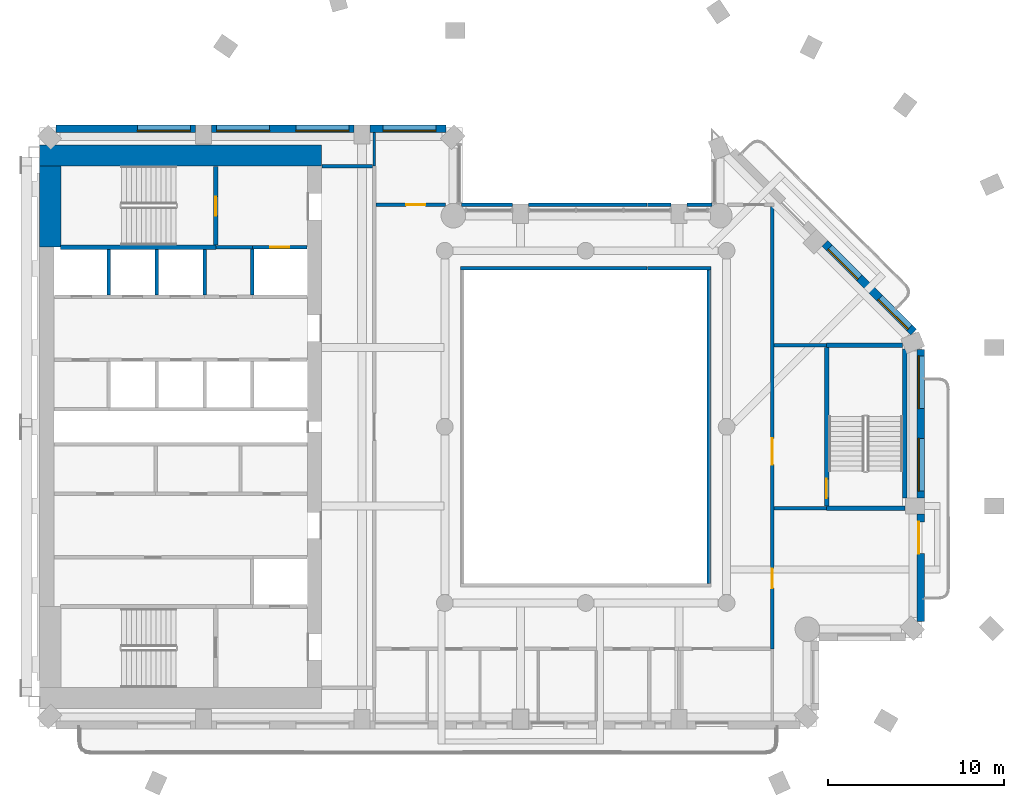
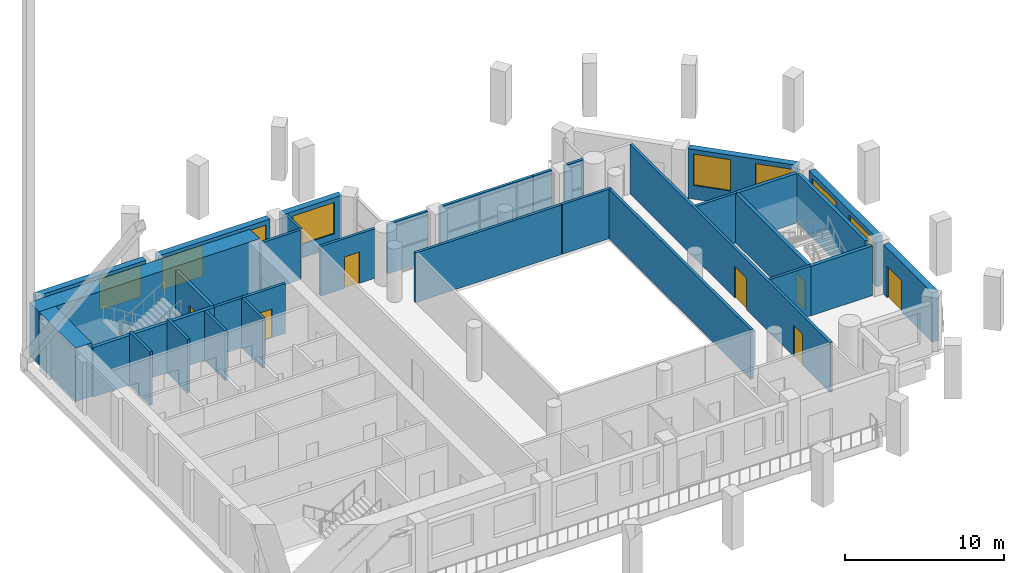
# One storey, part 6 of 16: 33 walls, 8 windows, 7 doors, 15 openings.
"""IFC4 building model written with IfcOpenShell, lengths in metres."""

from ifc_helpers import new_model, si_unit, direction, frame, frame_2d, origin, place, context, subcontext, project, spatial, rectangle, extrude, material, layer, layer_set, type_object, element, fill, save


model = new_model("IFC4")

# Units and contexts
model_context = context("Model", 3, precision=1e-05, world=origin(), true_north=direction((0.0, 1.0)))
body_context = subcontext(model_context, "Body", "Model", "MODEL_VIEW")
ifc_project = project(units=[si_unit("LENGTHUNIT", "METRE"), si_unit("AREAUNIT", "SQUARE_METRE"), si_unit("VOLUMEUNIT", "CUBIC_METRE"), si_unit("PLANEANGLEUNIT", "RADIAN"), si_unit("MASSUNIT", "GRAM", prefix="KILO")], contexts=[model_context])

# Site, building, storey
site_placement = place(None, origin())
site = spatial("IfcSite", under=ifc_project, at=site_placement, CompositionType="ELEMENT")
building_placement = place(site_placement, origin())
building = spatial("IfcBuilding", under=site, at=building_placement, Name="Cypress Arch Tower", CompositionType="ELEMENT")
storey_placement = place(building_placement, frame((0.0, 0.0, 197.39990234375)))
storey = spatial("IfcBuildingStorey", under=building, at=storey_placement, Name="L43", CompositionType="ELEMENT", Elevation=197.39990234375)

# Wall, opening, door
ifc_material_1 = material(Name="Brick (red buff blend)", Category="masonry")
ifc_layer_1 = layer(ifc_material_1, 0.449951171875)
ifc_layer_set_1 = layer_set([ifc_layer_1], Name="Brick pier and spandrel wall BW450")
wall_type_1 = type_object("IfcWallType", Name="Brick pier and spandrel wall BW450", PredefinedType="SOLIDWALL", material=ifc_layer_set_1)
wall_1_placement = place(storey_placement, frame((20.02490234375, -11.063720703125, 0.0), z_axis=(0.0, 0.0, 1.0), x_axis=(0.0, 1.0, 0.0)))
wall_1 = element("IfcWall", 1, at=wall_1_placement, inside=storey, type_object=wall_type_1, Name="Brick wall L43 B04.0", PredefinedType="SOLIDWALL", context=body_context, shape_type="SweptSolid", body=[
    extrude(rectangle(XDim=6.11376953125, YDim=0.449951171875, at=frame_2d((3.056884765625, 0.0))), origin(), (0.0, 0.0, 1.0), 3.800048828125),
])
opening_1_placement = place(wall_1_placement, frame((3.863525390625, 0.0, 0.0)))
opening_1 = element("IfcOpeningElement", 2, at=opening_1_placement, cuts=wall_1, Name="Opening D-L43-B04.0.2", PredefinedType="OPENING", context=body_context, shape_type="SweptSolid", body=[
    extrude(rectangle(XDim=1.800048828125, YDim=2.39990234375, at=frame_2d((0.89990234375, 1.199951171875))), frame((0.0, 0.23486328125, 0.0), z_axis=(0.0, -1.0, 0.0), x_axis=(1.0, 0.0, 0.0)), (0.0, 0.0, 1.0), 0.469970703125),
])
ifc_material_2 = material(Name="Anodised aluminium, bronze finish, laminated low-emissivity double glazing, large-missile impact rated", Category="aluminium")
door_type_1 = type_object("IfcDoorType", Name="Balcony sliding door 1800x2400", OperationType="SLIDING_TO_LEFT", PredefinedType="DOOR", material=ifc_material_2)
door_1_placement = place(opening_1_placement, origin())
door_1 = element("IfcDoor", 3, at=door_1_placement, inside=storey, type_object=door_type_1, Name="Balcony door L43 B04.0.2", OperationType="SLIDING_TO_LEFT", OverallHeight=2.39990234375, OverallWidth=1.800048828125, PredefinedType="DOOR", context=body_context, shape_type="SweptSolid", body=[
    extrude(rectangle(XDim=1.800048828125, YDim=2.39990234375, at=frame_2d((0.89990234375, 1.199951171875))), frame((0.0, 0.1298828125, 0.0), z_axis=(0.0, -1.0, 0.0), x_axis=(1.0, 0.0, 0.0)), (0.0, 0.0, 1.0), 0.050048828125),
])
fill(opening_1, door_1)

# Wall, openings, windows
wall_2_placement = place(storey_placement, frame((20.02490234375, -4.050048828125, 0.0), z_axis=(0.0, 0.0, 1.0), x_axis=(0.0, 1.0, 0.0)))
wall_2 = element("IfcWall", 4, at=wall_2_placement, inside=storey, type_object=wall_type_1, Name="Brick wall L43 B04.1", PredefinedType="SOLIDWALL", context=body_context, shape_type="SweptSolid", body=[
    extrude(rectangle(XDim=8.438720703125, YDim=0.449951171875, at=frame_2d((4.21923828125, 0.0))), origin(), (0.0, 0.0, 1.0), 3.800048828125),
])
opening_2_placement = place(wall_2_placement, frame((0.39404296875, 0.0, 1.050048828125)))
opening_2 = element("IfcOpeningElement", 5, at=opening_2_placement, cuts=wall_2, Name="Opening W300OD", PredefinedType="OPENING", context=body_context, shape_type="SweptSolid", body=[
    extrude(rectangle(XDim=3.0, YDim=2.39990234375, at=frame_2d((1.5, 1.199951171875))), frame((0.0, 0.23486328125, 0.0), z_axis=(0.0, -1.0, 0.0), x_axis=(1.0, 0.0, 0.0)), (0.0, 0.0, 1.0), 0.469970703125),
])
opening_3_placement = place(wall_2_placement, frame((5.081787109375, 0.0, 1.050048828125)))
opening_3 = element("IfcOpeningElement", 6, at=opening_3_placement, cuts=wall_2, Name="Opening W300OD", PredefinedType="OPENING", context=body_context, shape_type="SweptSolid", body=[
    extrude(rectangle(XDim=3.0, YDim=2.39990234375, at=frame_2d((1.5, 1.199951171875))), frame((0.0, 0.23486328125, 0.0), z_axis=(0.0, -1.0, 0.0), x_axis=(1.0, 0.0, 0.0)), (0.0, 0.0, 1.0), 0.469970703125),
])
ifc_material_3 = material(Name="Anodised aluminium, bronze finish, laminated low-emissivity double glazing, large-missile impact rated", Category="aluminium")
window_type_1 = type_object("IfcWindowType", Name="Window Office 3000x2400 debris-rated", PartitioningType="SINGLE_PANEL", PredefinedType="WINDOW", material=ifc_material_3)
window_1_placement = place(opening_2_placement, origin())
window_1 = element("IfcWindow", 7, at=window_1_placement, inside=storey, type_object=window_type_1, Name="Window L43 B04.1.1", OverallHeight=2.39990234375, OverallWidth=3.0, PartitioningType="SINGLE_PANEL", PredefinedType="WINDOW", context=body_context, shape_type="SweptSolid", body=[
    extrude(rectangle(XDim=3.0, YDim=2.39990234375, at=frame_2d((1.5, 1.199951171875))), frame((0.0, 0.135009765625, 0.0), z_axis=(0.0, -1.0, 0.0), x_axis=(1.0, 0.0, 0.0)), (0.0, 0.0, 1.0), 0.06005859375),
])
fill(opening_2, window_1)
window_2_placement = place(opening_3_placement, origin())
window_2 = element("IfcWindow", 8, at=window_2_placement, inside=storey, type_object=window_type_1, Name="Window L43 B04.1.2", OverallHeight=2.39990234375, OverallWidth=3.0, PartitioningType="SINGLE_PANEL", PredefinedType="WINDOW", context=body_context, shape_type="SweptSolid", body=[
    extrude(rectangle(XDim=3.0, YDim=2.39990234375, at=frame_2d((1.5, 1.199951171875))), frame((0.0, 0.135009765625, 0.0), z_axis=(0.0, -1.0, 0.0), x_axis=(1.0, 0.0, 0.0)), (0.0, 0.0, 1.0), 0.06005859375),
])
fill(opening_3, window_2)

wall_3_placement = place(storey_placement, frame((19.61474609375, 5.379150390625, 0.0), z_axis=(0.0, 0.0, 1.0), x_axis=(-0.707089646058, 0.7071239159, 0.0)))
wall_3 = element("IfcWall", 9, at=wall_3_placement, inside=storey, type_object=wall_type_1, Name="Brick wall L43 B05.0", PredefinedType="SOLIDWALL", context=body_context, shape_type="SweptSolid", body=[
    extrude(rectangle(XDim=7.1240234375, YDim=0.449951171875, at=frame_2d((3.56201171875, 0.0))), origin(), (0.0, 0.0, 1.0), 3.800048828125),
])
opening_4_placement = place(wall_3_placement, frame((0.328125, 0.0, 1.050048828125)))
opening_4 = element("IfcOpeningElement", 10, at=opening_4_placement, cuts=wall_3, Name="Opening W240OD", PredefinedType="OPENING", context=body_context, shape_type="SweptSolid", body=[
    extrude(rectangle(XDim=2.39990234375, YDim=2.39990234375, at=frame_2d((1.199951171875, 1.199951171875))), frame((0.0, 0.23486328125, 0.0), z_axis=(0.0, -1.0, 0.0), x_axis=(1.0, 0.0, 0.0)), (0.0, 0.0, 1.0), 0.469970703125),
])
opening_5_placement = place(wall_3_placement, frame((4.358642578125, 0.0, 1.050048828125)))
opening_5 = element("IfcOpeningElement", 11, at=opening_5_placement, cuts=wall_3, Name="Opening W240OD", PredefinedType="OPENING", context=body_context, shape_type="SweptSolid", body=[
    extrude(rectangle(XDim=2.39990234375, YDim=2.39990234375, at=frame_2d((1.199951171875, 1.199951171875))), frame((0.0, 0.23486328125, 0.0), z_axis=(0.0, -1.0, 0.0), x_axis=(1.0, 0.0, 0.0)), (0.0, 0.0, 1.0), 0.469970703125),
])
ifc_material_4 = material(Name="Anodised aluminium, bronze finish, laminated low-emissivity double glazing, large-missile impact rated", Category="aluminium")
window_type_2 = type_object("IfcWindowType", Name="Window Office 2400x2400 debris-rated", PartitioningType="SINGLE_PANEL", PredefinedType="WINDOW", material=ifc_material_4)
window_3_placement = place(opening_4_placement, origin())
window_3 = element("IfcWindow", 12, at=window_3_placement, inside=storey, type_object=window_type_2, Name="Window L43 B05.0.1", OverallHeight=2.39990234375, OverallWidth=2.39990234375, PartitioningType="SINGLE_PANEL", PredefinedType="WINDOW", context=body_context, shape_type="SweptSolid", body=[
    extrude(rectangle(XDim=2.39990234375, YDim=2.39990234375, at=frame_2d((1.199951171875, 1.199951171875))), frame((0.0, 0.135009765625, 0.0), z_axis=(0.0, -1.0, 0.0), x_axis=(1.0, 0.0, 0.0)), (0.0, 0.0, 1.0), 0.06005859375),
])
fill(opening_4, window_3)
window_4_placement = place(opening_5_placement, origin())
window_4 = element("IfcWindow", 13, at=window_4_placement, inside=storey, type_object=window_type_2, Name="Window L43 B05.0.2", OverallHeight=2.39990234375, OverallWidth=2.39990234375, PartitioningType="SINGLE_PANEL", PredefinedType="WINDOW", context=body_context, shape_type="SweptSolid", body=[
    extrude(rectangle(XDim=2.39990234375, YDim=2.39990234375, at=frame_2d((1.199951171875, 1.199951171875))), frame((0.0, 0.135009765625, 0.0), z_axis=(0.0, -1.0, 0.0), x_axis=(1.0, 0.0, 0.0)), (0.0, 0.0, 1.0), 0.06005859375),
])
fill(opening_5, window_4)

# Wall, opening, window
wall_4_placement = place(storey_placement, frame((-6.936279296875, 16.925048828125, 0.0), z_axis=(0.0, 0.0, 1.0), x_axis=(-1.0, 0.0, 0.0)))
wall_4 = element("IfcWall", 14, at=wall_4_placement, inside=storey, type_object=wall_type_1, Name="Brick wall L43 B09.0", PredefinedType="SOLIDWALL", context=body_context, shape_type="SweptSolid", body=[
    extrude(rectangle(XDim=4.313720703125, YDim=0.449951171875, at=frame_2d((2.15673828125, 0.0))), origin(), (0.0, 0.0, 1.0), 3.800048828125),
])
opening_6_placement = place(wall_4_placement, frame((0.563720703125, 0.0, 1.050048828125)))
opening_6 = element("IfcOpeningElement", 15, at=opening_6_placement, cuts=wall_4, Name="Opening W300O", PredefinedType="OPENING", context=body_context, shape_type="SweptSolid", body=[
    extrude(rectangle(XDim=3.0, YDim=2.39990234375, at=frame_2d((1.5, 1.199951171875))), frame((0.0, 0.23486328125, 0.0), z_axis=(0.0, -1.0, 0.0), x_axis=(1.0, 0.0, 0.0)), (0.0, 0.0, 1.0), 0.469970703125),
])
ifc_material_5 = material(Name="Anodised aluminium, bronze finish, clear low-emissivity double glazing", Category="aluminium")
window_type_3 = type_object("IfcWindowType", Name="Window Office 3000x2400", PartitioningType="SINGLE_PANEL", PredefinedType="WINDOW", material=ifc_material_5)
window_5_placement = place(opening_6_placement, origin())
window_5 = element("IfcWindow", 16, at=window_5_placement, inside=storey, type_object=window_type_3, Name="Window L43 B09.0.1", OverallHeight=2.39990234375, OverallWidth=3.0, PartitioningType="SINGLE_PANEL", PredefinedType="WINDOW", context=body_context, shape_type="SweptSolid", body=[
    extrude(rectangle(XDim=3.0, YDim=2.39990234375, at=frame_2d((1.5, 1.199951171875))), frame((0.0, 0.135009765625, 0.0), z_axis=(0.0, -1.0, 0.0), x_axis=(1.0, 0.0, 0.0)), (0.0, 0.0, 1.0), 0.06005859375),
])
fill(opening_6, window_5)

# Wall, openings, windows
wall_5_placement = place(storey_placement, frame((-12.14990234375, 16.925048828125, 0.0), z_axis=(0.0, 0.0, 1.0), x_axis=(-1.0, 0.0, 0.0)))
wall_5 = element("IfcWall", 17, at=wall_5_placement, inside=storey, type_object=wall_type_1, Name="Brick wall L43 B09.1", PredefinedType="SOLIDWALL", context=body_context, shape_type="SweptSolid", body=[
    extrude(rectangle(XDim=8.10009765625, YDim=0.449951171875, at=frame_2d((4.050048828125, 0.0))), origin(), (0.0, 0.0, 1.0), 3.800048828125),
])
opening_7_placement = place(wall_5_placement, frame((0.300048828125, 0.0, 1.050048828125)))
opening_7 = element("IfcOpeningElement", 18, at=opening_7_placement, cuts=wall_5, Name="Opening W300O", PredefinedType="OPENING", context=body_context, shape_type="SweptSolid", body=[
    extrude(rectangle(XDim=3.0, YDim=2.39990234375, at=frame_2d((1.5, 1.199951171875))), frame((0.0, 0.23486328125, 0.0), z_axis=(0.0, -1.0, 0.0), x_axis=(1.0, 0.0, 0.0)), (0.0, 0.0, 1.0), 0.469970703125),
])
opening_8_placement = place(wall_5_placement, frame((4.800048828125, 0.0, 1.050048828125)))
opening_8 = element("IfcOpeningElement", 19, at=opening_8_placement, cuts=wall_5, Name="Opening W300O", PredefinedType="OPENING", context=body_context, shape_type="SweptSolid", body=[
    extrude(rectangle(XDim=3.0, YDim=2.39990234375, at=frame_2d((1.5, 1.199951171875))), frame((0.0, 0.23486328125, 0.0), z_axis=(0.0, -1.0, 0.0), x_axis=(1.0, 0.0, 0.0)), (0.0, 0.0, 1.0), 0.469970703125),
])
window_6_placement = place(opening_7_placement, origin())
window_6 = element("IfcWindow", 20, at=window_6_placement, inside=storey, type_object=window_type_3, Name="Window L43 B09.1.1", OverallHeight=2.39990234375, OverallWidth=3.0, PartitioningType="SINGLE_PANEL", PredefinedType="WINDOW", context=body_context, shape_type="SweptSolid", body=[
    extrude(rectangle(XDim=3.0, YDim=2.39990234375, at=frame_2d((1.5, 1.199951171875))), frame((0.0, 0.135009765625, 0.0), z_axis=(0.0, -1.0, 0.0), x_axis=(1.0, 0.0, 0.0)), (0.0, 0.0, 1.0), 0.06005859375),
])
fill(opening_7, window_6)
window_7_placement = place(opening_8_placement, origin())
window_7 = element("IfcWindow", 21, at=window_7_placement, inside=storey, type_object=window_type_3, Name="Window L43 B09.1.2", OverallHeight=2.39990234375, OverallWidth=3.0, PartitioningType="SINGLE_PANEL", PredefinedType="WINDOW", context=body_context, shape_type="SweptSolid", body=[
    extrude(rectangle(XDim=3.0, YDim=2.39990234375, at=frame_2d((1.5, 1.199951171875))), frame((0.0, 0.135009765625, 0.0), z_axis=(0.0, -1.0, 0.0), x_axis=(1.0, 0.0, 0.0)), (0.0, 0.0, 1.0), 0.06005859375),
])
fill(opening_8, window_7)

# Wall, opening, window
wall_6_placement = place(storey_placement, frame((-21.14990234375, 16.925048828125, 0.0), z_axis=(0.0, 0.0, 1.0), x_axis=(-1.0, 0.0, 0.0)))
wall_6 = element("IfcWall", 22, at=wall_6_placement, inside=storey, type_object=wall_type_1, Name="Brick wall L43 B09.2", PredefinedType="SOLIDWALL", context=body_context, shape_type="SweptSolid", body=[
    extrude(rectangle(XDim=7.913818359375, YDim=0.449951171875, at=frame_2d((3.95703125, 0.0))), origin(), (0.0, 0.0, 1.0), 3.800048828125),
])
opening_9_placement = place(wall_6_placement, frame((0.300048828125, 0.0, 1.050048828125)))
opening_9 = element("IfcOpeningElement", 23, at=opening_9_placement, cuts=wall_6, Name="Opening W300O", PredefinedType="OPENING", context=body_context, shape_type="SweptSolid", body=[
    extrude(rectangle(XDim=3.0, YDim=2.39990234375, at=frame_2d((1.5, 1.199951171875))), frame((0.0, 0.23486328125, 0.0), z_axis=(0.0, -1.0, 0.0), x_axis=(1.0, 0.0, 0.0)), (0.0, 0.0, 1.0), 0.469970703125),
])
window_8_placement = place(opening_9_placement, origin())
window_8 = element("IfcWindow", 24, at=window_8_placement, inside=storey, type_object=window_type_3, Name="Window L43 B09.2.1", OverallHeight=2.39990234375, OverallWidth=3.0, PartitioningType="SINGLE_PANEL", PredefinedType="WINDOW", context=body_context, shape_type="SweptSolid", body=[
    extrude(rectangle(XDim=3.0, YDim=2.39990234375, at=frame_2d((1.5, 1.199951171875))), frame((0.0, 0.135009765625, 0.0), z_axis=(0.0, -1.0, 0.0), x_axis=(1.0, 0.0, 0.0)), (0.0, 0.0, 1.0), 0.06005859375),
])
fill(opening_9, window_8)

# Walls
ifc_material_6 = material(Name="Concrete C70/85", Category="concrete")
ifc_layer_2 = layer(ifc_material_6, 1.199951171875)
ifc_layer_set_2 = layer_set([ifc_layer_2], Name="Core wall CW1200 C70/85")
wall_type_2 = type_object("IfcWallType", Name="Core wall CW1200 C70/85", PredefinedType="SHEAR", material=ifc_layer_set_2)
wall_7_placement = place(storey_placement, frame((-30.0, 15.39990234375, 0.0), z_axis=(0.0, 0.0, 1.0), x_axis=(1.0, 0.0, 0.0)))
element("IfcWall", 25, at=wall_7_placement, inside=storey, type_object=wall_type_2, Name="Core wall", PredefinedType="SHEAR", context=body_context, shape_type="SweptSolid", body=[
    extrude(rectangle(XDim=16.0, YDim=1.199951171875, at=frame_2d((8.0, 0.0))), origin(), (0.0, 0.0, 1.0), 4.10009765625),
])
wall_8_placement = place(storey_placement, frame((-29.39990234375, 10.199951171875, 0.0), z_axis=(0.0, 0.0, 1.0), x_axis=(0.0, 1.0, 0.0)))
element("IfcWall", 26, at=wall_8_placement, inside=storey, type_object=wall_type_2, Name="Core wall", PredefinedType="SHEAR", context=body_context, shape_type="SweptSolid", body=[
    extrude(rectangle(XDim=4.60009765625, YDim=1.199951171875, at=frame_2d((2.300048828125, 0.0))), origin(), (0.0, 0.0, 1.0), 4.10009765625),
])
ifc_material_7 = material(Name="Concrete blockwork, plastered, rated", Category="masonry")
ifc_layer_3 = layer(ifc_material_7, 0.199951171875)
ifc_layer_set_3 = layer_set([ifc_layer_3], Name="Corridor wall FW200")
wall_type_3 = type_object("IfcWallType", Name="Corridor wall FW200", PredefinedType="PARTITIONING", material=ifc_layer_set_3)
wall_9_placement = place(storey_placement, frame((-20.0, 10.199951171875, 0.0), z_axis=(0.0, 0.0, 1.0), x_axis=(1.0, 0.0, 0.0)))
element("IfcWall", 27, at=wall_9_placement, inside=storey, type_object=wall_type_3, Name="Corridor wall", PredefinedType="PARTITIONING", context=body_context, shape_type="SweptSolid", body=[
    extrude(rectangle(XDim=2.080078125, YDim=0.199951171875, at=frame_2d((1.0400390625, 0.0))), origin(), (0.0, 0.0, 1.0), 3.800048828125),
])
wall_10_placement = place(storey_placement, frame((-13.969970703125, 14.800048828125, 0.0), z_axis=(0.0, 0.0, 1.0), x_axis=(1.0, 0.0, 0.0)))
element("IfcWall", 28, at=wall_10_placement, inside=storey, type_object=wall_type_3, Name="Corridor wall", PredefinedType="PARTITIONING", context=body_context, shape_type="SweptSolid", body=[
    extrude(rectangle(XDim=2.869873046875, YDim=0.199951171875, at=frame_2d((1.43505859375, 0.0))), origin(), (0.0, 0.0, 1.0), 3.800048828125),
])

# Wall, opening, door
wall_11_placement = place(storey_placement, frame((-10.89990234375, 12.60009765625, 0.0), z_axis=(0.0, 0.0, 1.0), x_axis=(1.0, 0.0, 0.0)))
wall_11 = element("IfcWall", 29, at=wall_11_placement, inside=storey, type_object=wall_type_3, Name="Corridor wall", PredefinedType="PARTITIONING", context=body_context, shape_type="SweptSolid", body=[
    extrude(rectangle(XDim=3.935302734375, YDim=0.199951171875, at=frame_2d((1.9677734375, 0.0))), origin(), (0.0, 0.0, 1.0), 3.800048828125),
])
opening_10_placement = place(wall_11_placement, frame((1.699951171875, 0.0, 0.0)))
opening_10 = element("IfcOpeningElement", 30, at=opening_10_placement, cuts=wall_11, Name="Opening D01", PredefinedType="OPENING", context=body_context, shape_type="SweptSolid", body=[
    extrude(rectangle(XDim=1.10009765625, YDim=2.39990234375, at=frame_2d((0.550048828125, 1.199951171875))), frame((0.0, 0.10986328125, 0.0), z_axis=(0.0, -1.0, 0.0), x_axis=(1.0, 0.0, 0.0)), (0.0, 0.0, 1.0), 0.219970703125),
])
ifc_material_8 = material(Name="Timber flush door, fire resisting, self-closing", Category="wood")
door_type_2 = type_object("IfcDoorType", Name="Unit entrance door D01 1100x2400", OperationType="SINGLE_SWING_LEFT", PredefinedType="DOOR", material=ifc_material_8)
door_2_placement = place(opening_10_placement, origin())
door_2 = element("IfcDoor", 31, at=door_2_placement, inside=storey, type_object=door_type_2, Name="Unit entrance door", OperationType="SINGLE_SWING_LEFT", OverallHeight=2.39990234375, OverallWidth=1.10009765625, PredefinedType="DOOR", context=body_context, shape_type="SweptSolid", body=[
    extrude(rectangle(XDim=1.10009765625, YDim=2.39990234375, at=frame_2d((0.550048828125, 1.199951171875))), frame((0.0, 0.02490234375, 0.0), z_axis=(0.0, -1.0, 0.0), x_axis=(1.0, 0.0, 0.0)), (0.0, 0.0, 1.0), 0.050048828125),
])
fill(opening_10, door_2)

# Walls
wall_12_placement = place(storey_placement, frame((-6.0595703125, 12.60009765625, 0.0), z_axis=(0.0, 0.0, 1.0), x_axis=(1.0, 0.0, 0.0)))
element("IfcWall", 32, at=wall_12_placement, inside=storey, type_object=wall_type_3, Name="Corridor wall", PredefinedType="PARTITIONING", context=body_context, shape_type="SweptSolid", body=[
    extrude(rectangle(XDim=2.90966796875, YDim=0.199951171875, at=frame_2d((1.454833984375, 0.0))), origin(), (0.0, 0.0, 1.0), 3.800048828125),
])
wall_13_placement = place(storey_placement, frame((-2.25, 12.60009765625, 0.0), z_axis=(0.0, 0.0, 1.0), x_axis=(1.0, 0.0, 0.0)))
element("IfcWall", 33, at=wall_13_placement, inside=storey, type_object=wall_type_3, Name="Corridor wall", PredefinedType="PARTITIONING", context=body_context, shape_type="SweptSolid", body=[
    extrude(rectangle(XDim=6.72998046875, YDim=0.199951171875, at=frame_2d((3.364990234375, 0.0))), origin(), (0.0, 0.0, 1.0), 3.800048828125),
])
wall_14_placement = place(storey_placement, frame((-6.10009765625, 9.0, 0.0), z_axis=(0.0, 0.0, 1.0), x_axis=(1.0, 0.0, 0.0)))
element("IfcWall", 34, at=wall_14_placement, inside=storey, type_object=wall_type_3, Name="Corridor wall", PredefinedType="PARTITIONING", context=body_context, shape_type="SweptSolid", body=[
    extrude(rectangle(XDim=10.580078125, YDim=0.199951171875, at=frame_2d((5.2900390625, 0.0))), origin(), (0.0, 0.0, 1.0), 3.800048828125),
])
wall_15_placement = place(storey_placement, frame((4.52001953125, 9.0, 0.0), z_axis=(0.0, 0.0, 1.0), x_axis=(1.0, 0.0, 0.0)))
element("IfcWall", 35, at=wall_15_placement, inside=storey, type_object=wall_type_3, Name="Corridor wall", PredefinedType="PARTITIONING", context=body_context, shape_type="SweptSolid", body=[
    extrude(rectangle(XDim=3.580078125, YDim=0.199951171875, at=frame_2d((1.7900390625, 0.0))), origin(), (0.0, 0.0, 1.0), 3.800048828125),
])
wall_16_placement = place(storey_placement, frame((4.52001953125, 12.60009765625, 0.0), z_axis=(0.0, 0.0, 1.0), x_axis=(1.0, 0.0, 0.0)))
element("IfcWall", 36, at=wall_16_placement, inside=storey, type_object=wall_type_3, Name="Corridor wall", PredefinedType="PARTITIONING", context=body_context, shape_type="SweptSolid", body=[
    extrude(rectangle(XDim=1.330078125, YDim=0.199951171875, at=frame_2d((0.6650390625, 0.0))), origin(), (0.0, 0.0, 1.0), 3.800048828125),
])
wall_17_placement = place(storey_placement, frame((6.75, 12.60009765625, 0.0), z_axis=(0.0, 0.0, 1.0), x_axis=(1.0, 0.0, 0.0)))
element("IfcWall", 37, at=wall_17_placement, inside=storey, type_object=wall_type_3, Name="Corridor wall", PredefinedType="PARTITIONING", context=body_context, shape_type="SweptSolid", body=[
    extrude(rectangle(XDim=1.40966796875, YDim=0.199951171875, at=frame_2d((0.704833984375, 0.0))), origin(), (0.0, 0.0, 1.0), 3.800048828125),
])
wall_18_placement = place(storey_placement, frame((8.0, -8.89990234375, 0.0), z_axis=(0.0, 0.0, 1.0), x_axis=(0.0, 1.0, 0.0)))
element("IfcWall", 38, at=wall_18_placement, inside=storey, type_object=wall_type_3, Name="Corridor wall", PredefinedType="PARTITIONING", context=body_context, shape_type="SweptSolid", body=[
    extrude(rectangle(XDim=17.7998046875, YDim=0.199951171875, at=frame_2d((8.89990234375, 0.0))), origin(), (0.0, 0.0, 1.0), 3.800048828125),
])

# Wall, openings, doors
wall_19_placement = place(storey_placement, frame((11.60009765625, -12.60009765625, 0.0), z_axis=(0.0, 0.0, 1.0), x_axis=(0.0, 1.0, 0.0)))
wall_19 = element("IfcWall", 39, at=wall_19_placement, inside=storey, type_object=wall_type_3, Name="Corridor wall", PredefinedType="PARTITIONING", context=body_context, shape_type="SweptSolid", body=[
    extrude(rectangle(XDim=25.10009765625, YDim=0.199951171875, at=frame_2d((12.550048828125, 0.0))), origin(), (0.0, 0.0, 1.0), 3.800048828125),
])
opening_11_placement = place(wall_19_placement, frame((10.449951171875, 0.0, 0.0)))
opening_11 = element("IfcOpeningElement", 40, at=opening_11_placement, cuts=wall_19, Name="Opening D07", PredefinedType="OPENING", context=body_context, shape_type="SweptSolid", body=[
    extrude(rectangle(XDim=1.5, YDim=2.39990234375, at=frame_2d((0.75, 1.199951171875))), frame((0.0, 0.10986328125, 0.0), z_axis=(0.0, -1.0, 0.0), x_axis=(1.0, 0.0, 0.0)), (0.0, 0.0, 1.0), 0.219970703125),
])
opening_12_placement = place(wall_19_placement, frame((3.449951171875, 0.0, 0.0)))
opening_12 = element("IfcOpeningElement", 41, at=opening_12_placement, cuts=wall_19, Name="Opening D01", PredefinedType="OPENING", context=body_context, shape_type="SweptSolid", body=[
    extrude(rectangle(XDim=1.10009765625, YDim=2.39990234375, at=frame_2d((0.550048828125, 1.199951171875))), frame((0.0, 0.10986328125, 0.0), z_axis=(0.0, -1.0, 0.0), x_axis=(1.0, 0.0, 0.0)), (0.0, 0.0, 1.0), 0.219970703125),
])
ifc_material_9 = material(Name="Steel framed glazed door, fire resisting", Category="steel")
door_type_3 = type_object("IfcDoorType", Name="Lobby door D07 1500x2400", OperationType="DOUBLE_DOOR_SINGLE_SWING", PredefinedType="DOOR", material=ifc_material_9)
door_3_placement = place(opening_11_placement, origin())
door_3 = element("IfcDoor", 42, at=door_3_placement, inside=storey, type_object=door_type_3, Name="Lobby door", OperationType="DOUBLE_DOOR_SINGLE_SWING", OverallHeight=2.39990234375, OverallWidth=1.5, PredefinedType="DOOR", context=body_context, shape_type="SweptSolid", body=[
    extrude(rectangle(XDim=1.5, YDim=2.39990234375, at=frame_2d((0.75, 1.199951171875))), frame((0.0, 0.02490234375, 0.0), z_axis=(0.0, -1.0, 0.0), x_axis=(1.0, 0.0, 0.0)), (0.0, 0.0, 1.0), 0.050048828125),
])
fill(opening_11, door_3)
door_4_placement = place(opening_12_placement, origin())
door_4 = element("IfcDoor", 43, at=door_4_placement, inside=storey, type_object=door_type_2, Name="Unit entrance door", OperationType="SINGLE_SWING_RIGHT", OverallHeight=2.39990234375, OverallWidth=1.10009765625, PredefinedType="DOOR", context=body_context, shape_type="SweptSolid", body=[
    extrude(rectangle(XDim=1.10009765625, YDim=2.39990234375, at=frame_2d((0.550048828125, 1.199951171875))), frame((0.0, 0.02490234375, 0.0), z_axis=(0.0, -1.0, 0.0), x_axis=(1.0, 0.0, 0.0)), (0.0, 0.0, 1.0), 0.050048828125),
])
fill(opening_12, door_4)

# Walls
for number, where, z_axis, x_axis, name in (
    (44, (11.699951171875, -4.625, 0.0), (0.0, 0.0, 1.0), (1.0, 0.0, 0.0), "Corridor wall"),
    (45, (11.699951171875, 4.625, 0.0), (0.0, 0.0, 1.0), (1.0, 0.0, 0.0), "Corridor wall"),
):
    element("IfcWall", number, at=place(storey_placement, frame(where, z_axis=z_axis, x_axis=x_axis)), inside=storey, type_object=wall_type_3, Name=name, PredefinedType="PARTITIONING", context=body_context, shape_type="SweptSolid", body=[
        extrude(rectangle(XDim=2.97509765625, YDim=0.199951171875, at=frame_2d((1.487548828125, 0.0))), origin(), (0.0, 0.0, 1.0), 3.800048828125),
    ])
ifc_material_10 = material(Name="Blockwork, plastered both sides", Category="masonry")
ifc_layer_4 = layer(ifc_material_10, 0.14990234375)
ifc_layer_set_4 = layer_set([ifc_layer_4], Name="Partition PW150")
wall_type_4 = type_object("IfcWallType", Name="Partition PW150", PredefinedType="PARTITIONING", material=ifc_layer_set_4)
wall_20_placement = place(storey_placement, frame((-11.0, 14.820068359375, 0.0), z_axis=(0.0, 0.0, 1.0), x_axis=(0.0, 1.0, 0.0)))
element("IfcWall", 46, at=wall_20_placement, inside=storey, type_object=wall_type_4, Name="Partition", PredefinedType="PARTITIONING", context=body_context, shape_type="SweptSolid", body=[
    extrude(rectangle(XDim=1.8798828125, YDim=0.14990234375, at=frame_2d((0.93994140625, 0.0))), origin(), (0.0, 0.0, 1.0), 3.800048828125),
])
ifc_material_11 = material(Name="Concrete C50/60", Category="concrete")
ifc_layer_5 = layer(ifc_material_11, 0.199951171875)
ifc_layer_set_5 = layer_set([ifc_layer_5], Name="Shaft wall SH200")
wall_type_5 = type_object("IfcWallType", Name="Shaft wall SH200", PredefinedType="SHEAR", material=ifc_layer_set_5)
for number, where, z_axis, x_axis, name in (
    (47, (-26.080078125, 7.5, 0.0), (0.0, 0.0, 1.0), (0.0, 1.0, 0.0), "Shaft wall"),
    (48, (-23.360107421875, 7.5, 0.0), (0.0, 0.0, 1.0), (0.0, 1.0, 0.0), "Shaft wall"),
):
    element("IfcWall", number, at=place(storey_placement, frame(where, z_axis=z_axis, x_axis=x_axis)), inside=storey, type_object=wall_type_5, Name=name, PredefinedType="SHEAR", context=body_context, shape_type="SweptSolid", body=[
        extrude(rectangle(XDim=2.574951171875, YDim=0.199951171875, at=frame_2d((1.28759765625, 0.0))), origin(), (0.0, 0.0, 1.0), 4.10009765625),
    ])
wall_21_placement = place(storey_placement, frame((-20.639892578125, 7.5, 0.0), z_axis=(0.0, 0.0, 1.0), x_axis=(0.0, 1.0, 0.0)))
element("IfcWall", 49, at=wall_21_placement, inside=storey, type_object=wall_type_5, Name="Shaft wall", PredefinedType="SHEAR", context=body_context, shape_type="SweptSolid", body=[
    extrude(rectangle(XDim=2.574951171875, YDim=0.199951171875, at=frame_2d((1.28759765625, 0.0))), origin(), (0.0, 0.0, 1.0), 3.800048828125),
])
wall_22_placement = place(storey_placement, frame((-17.919921875, 7.5, 0.0), z_axis=(0.0, 0.0, 1.0), x_axis=(0.0, 1.0, 0.0)))
element("IfcWall", 50, at=wall_22_placement, inside=storey, type_object=wall_type_5, Name="Shaft wall", PredefinedType="SHEAR", context=body_context, shape_type="SweptSolid", body=[
    extrude(rectangle(XDim=2.60009765625, YDim=0.199951171875, at=frame_2d((1.300048828125, 0.0))), origin(), (0.0, 0.0, 1.0), 3.800048828125),
])

# Wall, opening, door
wall_23_placement = place(storey_placement, frame((-17.919921875, 10.199951171875, 0.0), z_axis=(0.0, 0.0, 1.0), x_axis=(1.0, 0.0, 0.0)))
wall_23 = element("IfcWall", 51, at=wall_23_placement, inside=storey, type_object=wall_type_5, Name="Shaft wall", PredefinedType="SHEAR", context=body_context, shape_type="SweptSolid", body=[
    extrude(rectangle(XDim=3.08984375, YDim=0.199951171875, at=frame_2d((1.544921875, 0.0))), origin(), (0.0, 0.0, 1.0), 3.800048828125),
])
opening_13_placement = place(wall_23_placement, frame((1.0, 0.0, 0.0)))
opening_13 = element("IfcOpeningElement", 52, at=opening_13_placement, cuts=wall_23, Name="Opening LD-FL2", PredefinedType="OPENING", context=body_context, shape_type="SweptSolid", body=[
    extrude(rectangle(XDim=1.10009765625, YDim=2.199951171875, at=frame_2d((0.550048828125, 1.10009765625))), frame((0.0, 0.10986328125, 0.0), z_axis=(0.0, -1.0, 0.0), x_axis=(1.0, 0.0, 0.0)), (0.0, 0.0, 1.0), 0.219970703125),
])
ifc_material_12 = material(Name="Stainless steel centre-opening landing door, rated", Category="steel")
door_type_4 = type_object("IfcDoorType", Name="Lift landing door LD 1100x2200", OperationType="DOUBLE_DOOR_SLIDING", PredefinedType="DOOR", material=ifc_material_12)
door_5_placement = place(opening_13_placement, origin())
door_5 = element("IfcDoor", 53, at=door_5_placement, inside=storey, type_object=door_type_4, Name="Lift landing doors FL2", OperationType="DOUBLE_DOOR_SLIDING", OverallHeight=2.199951171875, OverallWidth=1.10009765625, PredefinedType="DOOR", context=body_context, shape_type="SweptSolid", body=[
    extrude(rectangle(XDim=1.10009765625, YDim=2.199951171875, at=frame_2d((0.550048828125, 1.10009765625))), frame((0.0, 0.02490234375, 0.0), z_axis=(0.0, -1.0, 0.0), x_axis=(1.0, 0.0, 0.0)), (0.0, 0.0, 1.0), 0.050048828125),
])
fill(opening_13, door_5)

# Wall
ifc_material_13 = material(Name="Concrete C50/60", Category="concrete")
ifc_layer_6 = layer(ifc_material_13, 0.25)
ifc_layer_set_6 = layer_set([ifc_layer_6], Name="Stair enclosure wall SW250")
wall_type_6 = type_object("IfcWallType", Name="Stair enclosure wall SW250", PredefinedType="SHEAR", material=ifc_layer_set_6)
wall_24_placement = place(storey_placement, frame((-28.81005859375, 10.199951171875, 0.0), z_axis=(0.0, 0.0, 1.0), x_axis=(1.0, 0.0, 0.0)))
element("IfcWall", 54, at=wall_24_placement, inside=storey, type_object=wall_type_6, Name="Stair enclosure wall", PredefinedType="SHEAR", context=body_context, shape_type="SweptSolid", body=[
    extrude(rectangle(XDim=8.81005859375, YDim=0.25, at=frame_2d((4.405029296875, 0.0))), origin(), (0.0, 0.0, 1.0), 3.800048828125),
])

# Wall, opening, door
wall_25_placement = place(storey_placement, frame((-20.0, 10.324951171875, 0.0), z_axis=(0.0, 0.0, 1.0), x_axis=(0.0, 1.0, 0.0)))
wall_25 = element("IfcWall", 55, at=wall_25_placement, inside=storey, type_object=wall_type_6, Name="Stair enclosure wall", PredefinedType="SHEAR", context=body_context, shape_type="SweptSolid", body=[
    extrude(rectangle(XDim=4.445068359375, YDim=0.25, at=frame_2d((2.22265625, 0.0))), origin(), (0.0, 0.0, 1.0), 3.800048828125),
])
opening_14_placement = place(wall_25_placement, frame((1.64990234375, 0.0, 0.0)))
opening_14 = element("IfcOpeningElement", 56, at=opening_14_placement, cuts=wall_25, Name="Opening D06", PredefinedType="OPENING", context=body_context, shape_type="SweptSolid", body=[
    extrude(rectangle(XDim=1.10009765625, YDim=2.199951171875, at=frame_2d((0.550048828125, 1.10009765625))), frame((0.0, 0.135009765625, 0.0), z_axis=(0.0, -1.0, 0.0), x_axis=(1.0, 0.0, 0.0)), (0.0, 0.0, 1.0), 0.27001953125),
])
ifc_material_14 = material(Name="Steel door, fire resisting, panic bar", Category="steel")
door_type_5 = type_object("IfcDoorType", Name="Stair door D06 1100x2200", OperationType="SINGLE_SWING_LEFT", PredefinedType="DOOR", material=ifc_material_14)
door_6_placement = place(opening_14_placement, origin())
door_6 = element("IfcDoor", 57, at=door_6_placement, inside=storey, type_object=door_type_5, Name="Stair door", OperationType="SINGLE_SWING_LEFT", OverallHeight=2.199951171875, OverallWidth=1.10009765625, PredefinedType="DOOR", context=body_context, shape_type="SweptSolid", body=[
    extrude(rectangle(XDim=1.10009765625, YDim=2.199951171875, at=frame_2d((0.550048828125, 1.10009765625))), frame((0.0, 0.02490234375, 0.0), z_axis=(0.0, -1.0, 0.0), x_axis=(1.0, 0.0, 0.0)), (0.0, 0.0, 1.0), 0.050048828125),
])
fill(opening_14, door_6)

wall_26_placement = place(storey_placement, frame((14.675048828125, -4.5, 0.0), z_axis=(0.0, 0.0, 1.0), x_axis=(0.0, 1.0, 0.0)))
wall_26 = element("IfcWall", 58, at=wall_26_placement, inside=storey, type_object=wall_type_6, Name="Stair enclosure wall", PredefinedType="SHEAR", context=body_context, shape_type="SweptSolid", body=[
    extrude(rectangle(XDim=9.0, YDim=0.25, at=frame_2d((4.5, 0.0))), origin(), (0.0, 0.0, 1.0), 3.800048828125),
])
opening_15_placement = place(wall_26_placement, frame((0.449951171875, 0.0, 0.0)))
opening_15 = element("IfcOpeningElement", 59, at=opening_15_placement, cuts=wall_26, Name="Opening D06", PredefinedType="OPENING", context=body_context, shape_type="SweptSolid", body=[
    extrude(rectangle(XDim=1.10009765625, YDim=2.199951171875, at=frame_2d((0.550048828125, 1.10009765625))), frame((0.0, 0.135009765625, 0.0), z_axis=(0.0, -1.0, 0.0), x_axis=(1.0, 0.0, 0.0)), (0.0, 0.0, 1.0), 0.27001953125),
])
door_7_placement = place(opening_15_placement, origin())
door_7 = element("IfcDoor", 60, at=door_7_placement, inside=storey, type_object=door_type_5, Name="Stair door", OperationType="SINGLE_SWING_RIGHT", OverallHeight=2.199951171875, OverallWidth=1.10009765625, PredefinedType="DOOR", context=body_context, shape_type="SweptSolid", body=[
    extrude(rectangle(XDim=1.10009765625, YDim=2.199951171875, at=frame_2d((0.550048828125, 1.10009765625))), frame((0.0, 0.02490234375, 0.0), z_axis=(0.0, -1.0, 0.0), x_axis=(1.0, 0.0, 0.0)), (0.0, 0.0, 1.0), 0.050048828125),
])
fill(opening_15, door_7)

# Walls
wall_27_placement = place(storey_placement, frame((14.675048828125, -4.625, 0.0), z_axis=(0.0, 0.0, 1.0), x_axis=(1.0, 0.0, 0.0)))
element("IfcWall", 61, at=wall_27_placement, inside=storey, type_object=wall_type_6, Name="Stair enclosure wall", PredefinedType="SHEAR", context=body_context, shape_type="SweptSolid", body=[
    extrude(rectangle(XDim=4.449951171875, YDim=0.25, at=frame_2d((2.22509765625, 0.0))), origin(), (0.0, 0.0, 1.0), 3.800048828125),
])
wall_28_placement = place(storey_placement, frame((14.675048828125, 4.625, 0.0), z_axis=(0.0, 0.0, 1.0), x_axis=(1.0, 0.0, 0.0)))
element("IfcWall", 62, at=wall_28_placement, inside=storey, type_object=wall_type_6, Name="Stair enclosure wall", PredefinedType="SHEAR", context=body_context, shape_type="SweptSolid", body=[
    extrude(rectangle(XDim=4.32373046875, YDim=0.25, at=frame_2d((2.161865234375, 0.0))), origin(), (0.0, 0.0, 1.0), 3.800048828125),
])
wall_29_placement = place(storey_placement, frame((19.125, -4.050048828125, 0.0), z_axis=(0.0, 0.0, 1.0), x_axis=(0.0, 1.0, 0.0)))
element("IfcWall", 63, at=wall_29_placement, inside=storey, type_object=wall_type_6, Name="Stair enclosure wall", PredefinedType="SHEAR", context=body_context, shape_type="SweptSolid", body=[
    extrude(rectangle(XDim=8.4765625, YDim=0.25, at=frame_2d((4.23828125, 0.0))), origin(), (0.0, 0.0, 1.0), 3.800048828125),
])

save(model, "model.ifc")
